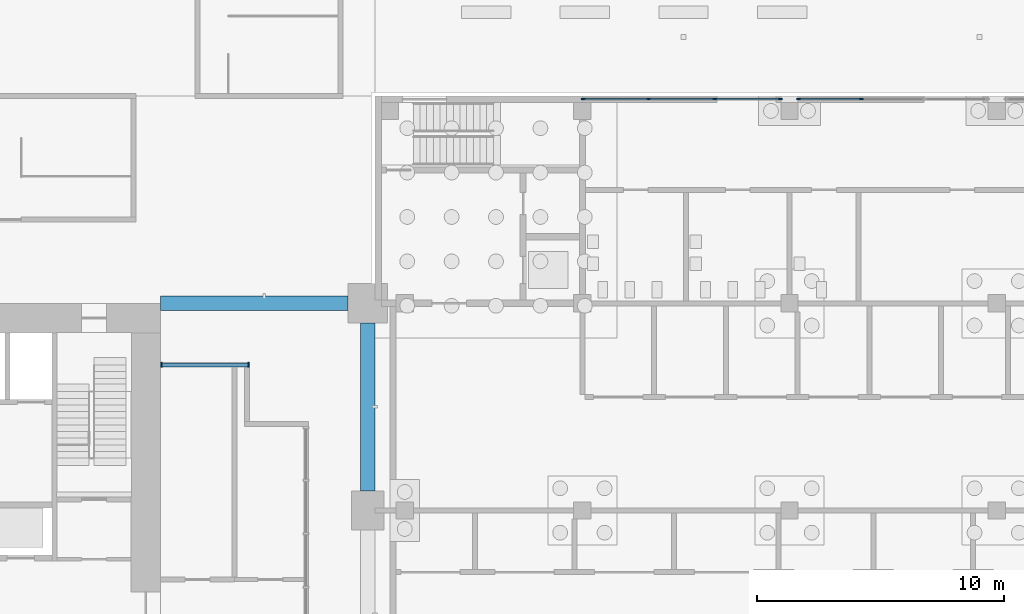
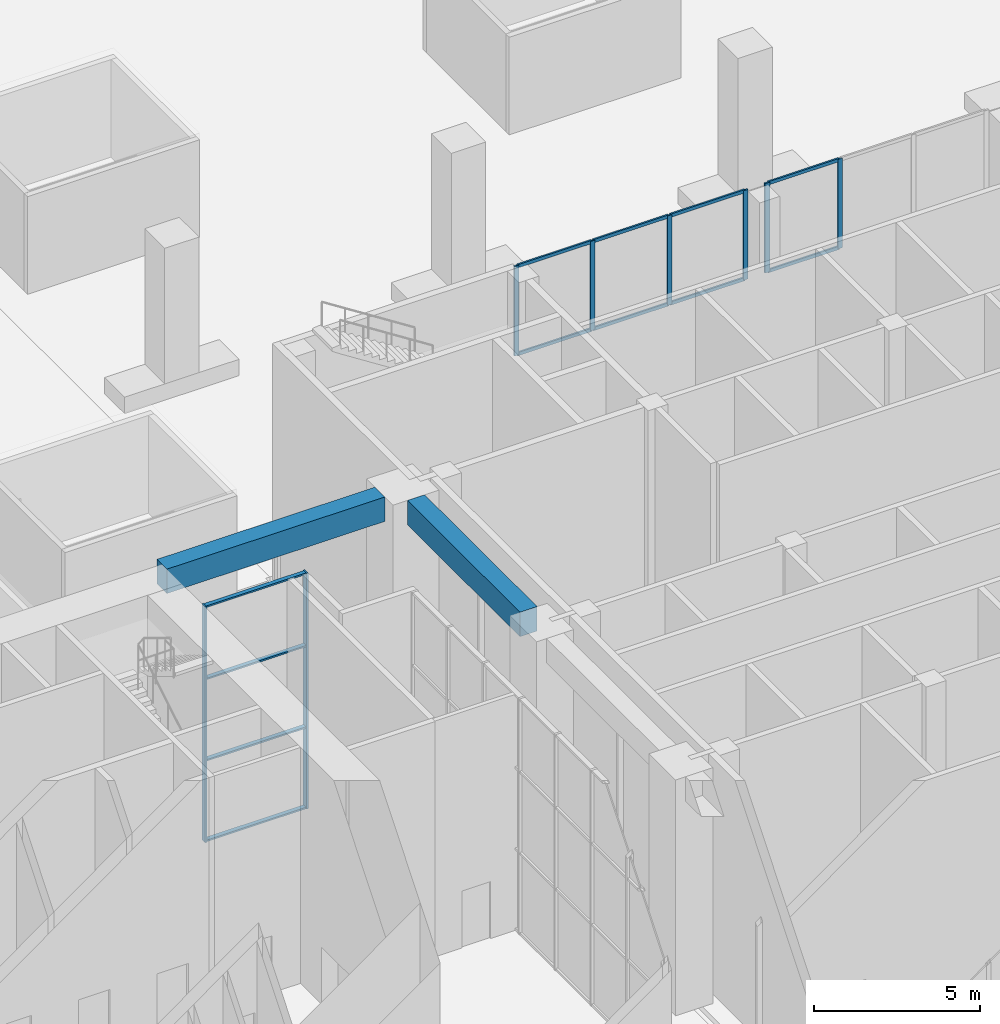
# One storey, part 10 of 46: 20 members, 2 beams, 3 elements without a shape of their own.
"""IFC4 building model written with IfcOpenShell, lengths in metres."""

import ifcopenshell
import ifcopenshell.guid

model = None  # the IFC model being written
_history = None  # IfcOwnerHistory: only IFC2X3 demands one
_inside = {}  # id of a spatial element -> (the spatial element, [elements in it])
_under = {}  # id of a project, library or spatial element -> (it, [spatial elements below it])
_declared = {}  # id of a project -> (the project, [libraries it declares])
_typed = {}  # id of a type object -> (the type object, [elements of that type])
_made_of = {}  # id of a material, layer set ... -> (it, [elements and type objects made of it])


def new_model(schema):
    """Start an empty IFC model of exactly this schema.

    Asked for "IFC4X3", IfcOpenShell would pick the latest addendum, in which some entities
    have other attributes; the version numbers below select the first issue.
    IFC2X3 requires an IfcOwnerHistory on every rooted entity: one is made here for all.
    """
    global model, _history
    if schema == "IFC4X3":
        model = ifcopenshell.file(schema_version=(4, 3, 0, 0))
    else:
        model = ifcopenshell.file(schema=schema)
    _inside.clear()
    _under.clear()
    _declared.clear()
    _typed.clear()
    _made_of.clear()
    _history = None
    if model.schema == "IFC2X3":
        org = make("IfcOrganization", Name="unknown")
        user = make(
            "IfcPersonAndOrganization",
            ThePerson=make("IfcPerson", FamilyName="unknown"),
            TheOrganization=org,
        )
        app = make(
            "IfcApplication",
            ApplicationDeveloper=org,
            Version="unknown",
            ApplicationFullName="unknown",
            ApplicationIdentifier="unknown",
        )
        _history = make(
            "IfcOwnerHistory",
            OwningUser=user,
            OwningApplication=app,
            ChangeAction="ADDED",
            CreationDate=0,
        )
    return model


def make(cls, **values):
    """One entity of the class cls with the attributes given. An attribute that is None is left unset."""
    return model.create_entity(
        cls, **{name: value for name, value in values.items() if value is not None}
    )


def rooted(cls, **values):
    """An entity with a GlobalId (a new one), such as an element, a storey or a relation."""
    return make(cls, GlobalId=ifcopenshell.guid.new(), OwnerHistory=_history, **values)


def si_unit(unit_type, name, prefix=None):
    """IfcSIUnit, for example si_unit("LENGTHUNIT", "METRE", prefix="MILLI")."""
    return make("IfcSIUnit", UnitType=unit_type, Prefix=prefix, Name=name)


def assignment(units):
    """IfcUnitAssignment: the units of a project."""
    return None if units is None else make("IfcUnitAssignment", Units=units)


def point(xyz):
    """IfcCartesianPoint."""
    return None if xyz is None else make("IfcCartesianPoint", Coordinates=xyz)


def direction(xyz):
    """IfcDirection."""
    return None if xyz is None else make("IfcDirection", DirectionRatios=xyz)


def frame(location, z_axis=None, x_axis=None):
    """IfcAxis2Placement3D, a coordinate frame: its origin and axes. An axis left out is left unset."""
    return make(
        "IfcAxis2Placement3D",
        Location=point(location),
        Axis=direction(z_axis),
        RefDirection=direction(x_axis),
    )


def frame_2d(location, x_axis=None):
    """IfcAxis2Placement2D, a coordinate frame in the plane: its origin and x axis."""
    return make(
        "IfcAxis2Placement2D", Location=point(location), RefDirection=direction(x_axis)
    )


def origin():
    """The frame at (0, 0, 0) with its axes left unset."""
    return frame((0.0, 0.0, 0.0))


def origin_2d():
    """The frame at (0, 0) in the plane with its x axis left unset."""
    return frame_2d((0.0, 0.0))


def place(relative_to, where):
    """IfcLocalPlacement: puts the frame where relative to a parent placement (None: the world)."""
    return make(
        "IfcLocalPlacement", PlacementRelTo=relative_to, RelativePlacement=where
    )


def context(
    kind, dimensions, precision=None, world=None, true_north=None, identifier=None
):
    """IfcGeometricRepresentationContext, for example the 3D "Model" context."""
    return make(
        "IfcGeometricRepresentationContext",
        ContextIdentifier=identifier,
        ContextType=kind,
        CoordinateSpaceDimension=dimensions,
        Precision=precision,
        WorldCoordinateSystem=world,
        TrueNorth=true_north,
    )


def subcontext(parent, identifier, kind, view, scale=None):
    """IfcGeometricRepresentationSubContext, for example "Body" below "Model"."""
    return make(
        "IfcGeometricRepresentationSubContext",
        ContextIdentifier=identifier,
        ContextType=kind,
        ParentContext=parent,
        TargetScale=scale,
        TargetView=view,
    )


def project(units=None, contexts=None):
    """IfcProject with its units and contexts."""
    return rooted(
        "IfcProject",
        Name="project",
        RepresentationContexts=contexts,
        UnitsInContext=assignment(units),
    )


def spatial(cls, under=None, at=None, **own):
    """A site, building, storey or space (cls), placed at a placement, below another one or the project."""
    s = rooted(cls, ObjectPlacement=at, **own)
    if under is not None:
        _under.setdefault(under.id(), (under, []))[1].append(s)
    return s


def profile(cls, at=None, kind="AREA", **sizes):
    """A parametric profile (cls). Its sizes go by their IFC names, for example OverallWidth=200.0."""
    return make(cls, ProfileType=kind, Position=at, **sizes)


def rectangle(**sizes):
    """IfcRectangleProfileDef."""
    return profile("IfcRectangleProfileDef", **sizes)


def extrude(swept, where, along, depth):
    """IfcExtrudedAreaSolid: the profile swept, set in the frame where, extruded along a direction by depth."""
    return make(
        "IfcExtrudedAreaSolid",
        SweptArea=swept,
        Position=where,
        ExtrudedDirection=direction(along),
        Depth=depth,
    )


def shape(context_of_items, identifier, shape_type, items):
    """IfcShapeRepresentation: the items that make up one representation, for example the "Body"."""
    return make(
        "IfcShapeRepresentation",
        ContextOfItems=context_of_items,
        RepresentationIdentifier=identifier,
        RepresentationType=shape_type,
        Items=items,
    )


def material(Name=None, Category=None):
    """IfcMaterial."""
    return make("IfcMaterial", Name=Name, Category=Category)


def layer(
    of_material, thickness, ventilated=None, Name=None, Category=None, Priority=None
):
    """IfcMaterialLayer: one layer of a wall or slab, of a material (None: an air gap)."""
    return make(
        "IfcMaterialLayer",
        Material=of_material,
        LayerThickness=thickness,
        IsVentilated=ventilated,
        Name=Name,
        Category=Category,
        Priority=Priority,
    )


def layer_set(layers, Name=None):
    """IfcMaterialLayerSet."""
    return make("IfcMaterialLayerSet", MaterialLayers=layers, LayerSetName=Name)


def material_profile(
    of_material, cross_section, Name=None, Category=None, Priority=None
):
    """IfcMaterialProfile: a cross section and its material."""
    return make(
        "IfcMaterialProfile",
        Name=Name,
        Material=of_material,
        Profile=cross_section,
        Priority=Priority,
        Category=Category,
    )


def profile_set(profiles, Name=None, composite=None):
    """IfcMaterialProfileSet."""
    return make(
        "IfcMaterialProfileSet",
        Name=Name,
        MaterialProfiles=profiles,
        CompositeProfile=composite,
    )


def made_of(thing, what):
    """Note that an element or type object is made of a material, layer set ...; save() writes the relation."""
    if what is not None:
        _made_of.setdefault(what.id(), (what, []))[1].append(thing)
    return thing


def type_object(cls, material=None, **own):
    """A type object (cls), such as IfcWallType, which elements share."""
    return made_of(rooted(cls, **own), material)


def element(
    cls,
    number,
    at=None,
    inside=None,
    cuts=None,
    type_object=None,
    material=None,
    context=None,
    identifier="Body",
    shape_type=None,
    held_by="IfcProductDefinitionShape",
    body=None,
    shapes=None,
    **own,
):
    """One element of the class cls, such as IfcWall. Its Tag is "e" and its number.

    at: its placement. inside: the storey or other place that contains it. cuts: it is an
    opening in that element (IfcRelVoidsElement). A single representation is given by context,
    identifier, shape_type and body (its items); several are given by shapes. held_by: the class
    of the entity that holds the representations. save() writes the other relations.
    """
    e = rooted(cls, Tag="e%d" % number, ObjectPlacement=at, **own)
    if body is not None:
        shapes = [shape(context, identifier, shape_type, body)]
    if shapes is not None:
        e.Representation = make(held_by, Representations=shapes)
    if inside is not None:
        _inside.setdefault(inside.id(), (inside, []))[1].append(e)
    if cuts is not None:
        rooted(
            "IfcRelVoidsElement", RelatingBuildingElement=cuts, RelatedOpeningElement=e
        )
    if type_object is not None:
        _typed.setdefault(type_object.id(), (type_object, []))[1].append(e)
    return made_of(e, material)


def aggregate(whole, parts):
    """IfcRelAggregates: a whole, such as a stair, and the parts it consists of."""
    return rooted("IfcRelAggregates", RelatingObject=whole, RelatedObjects=parts)


def save(model, path):
    """Write the relations noted so far, then the file.

    IfcRelAggregates (storeys below a building ...), IfcRelContainedInSpatialStructure (elements
    in a storey), IfcRelDefinesByType, IfcRelAssociatesMaterial and IfcRelDeclares: one each for
    every whole, place, type object, material and project.
    """
    for whole, parts in _under.values():
        aggregate(whole, parts)
    for where, things in _inside.values():
        rooted(
            "IfcRelContainedInSpatialStructure",
            RelatedElements=things,
            RelatingStructure=where,
        )
    for kind, things in _typed.values():
        rooted("IfcRelDefinesByType", RelatedObjects=things, RelatingType=kind)
    for what, things in _made_of.values():
        rooted("IfcRelAssociatesMaterial", RelatedObjects=things, RelatingMaterial=what)
    for by, libraries in _declared.values():
        rooted("IfcRelDeclares", RelatingContext=by, RelatedDefinitions=libraries)
    model.write(path)


model = new_model("IFC4")

# Units and contexts
model_context = context("Model", 3, precision=1e-05, world=origin(), true_north=direction((0.0, 1.0)))
body_context = subcontext(model_context, "Body", "Model", "MODEL_VIEW")
ifc_project = project(units=[si_unit("LENGTHUNIT", "METRE"), si_unit("AREAUNIT", "SQUARE_METRE"), si_unit("VOLUMEUNIT", "CUBIC_METRE"), si_unit("PLANEANGLEUNIT", "RADIAN"), si_unit("MASSUNIT", "GRAM", prefix="KILO")], contexts=[model_context])

# Site, building, storey
site_placement = place(None, origin())
site = spatial("IfcSite", under=ifc_project, at=site_placement, CompositionType="ELEMENT")
building_placement = place(site_placement, origin())
building = spatial("IfcBuilding", under=site, at=building_placement, Name="Vermilion Gate Residences", CompositionType="ELEMENT")
storey_placement = place(building_placement, origin())
storey = spatial("IfcBuildingStorey", under=building, at=storey_placement, Name="L00", CompositionType="ELEMENT", Elevation=0.0)

# Curtain wall, members
ifc_material_1 = material(Name="Aluminium and glass", Category="aluminium")
ifc_layer = layer(ifc_material_1, 0.159912109375)
ifc_layer_set = layer_set([ifc_layer], Name="CLERESTORY CURTAIN WALL (MARKET HALL)")
curtain_wall_type_1 = type_object("IfcCurtainWallType", Name="CLERESTORY CURTAIN WALL (MARKET HALL)", PredefinedType="NOTDEFINED", material=ifc_layer_set)
curtain_wall_1_placement = place(storey_placement, origin())
curtain_wall_1 = element("IfcCurtainWall", 1, at=curtain_wall_1_placement, inside=storey, type_object=curtain_wall_type_1, Name="Clerestory glazing", PredefinedType="NOTDEFINED")
ifc_material_2 = material(Name="Aluminium", Category="aluminium")
ifc_material_profile_1 = material_profile(ifc_material_2, rectangle(XDim=0.06005859375, YDim=0.159912109375, at=origin_2d()), Name="ALUMINIUM MULLION 60 X 160 (MARKET HALL)")
ifc_profile_set_1 = profile_set([ifc_material_profile_1], Name="Aluminium")
member_type_1 = type_object("IfcMemberType", Name="ALUMINIUM MULLION 60 X 160 (MARKET HALL)", PredefinedType="MULLION", material=ifc_profile_set_1)
member_1_placement = place(storey_placement, frame((75.929931640625, 33.47509765625, 5.39990234375), z_axis=(0.0, 0.0, 1.0), x_axis=(0.0, 1.0, 0.0)))
member_1 = element("IfcMember", 2, at=member_1_placement, type_object=member_type_1, Name="HC4 mullion 1", PredefinedType="MULLION", context=body_context, shape_type="SweptSolid", body=[
    extrude(rectangle(XDim=0.06005859375, YDim=0.159912109375, at=origin_2d()), origin(), (0.0, 0.0, 1.0), 3.300048828125),
])
member_2_placement = place(storey_placement, frame((78.583251953125, 33.47509765625, 5.39990234375), z_axis=(0.0, 0.0, 1.0), x_axis=(0.0, 1.0, 0.0)))
member_2 = element("IfcMember", 3, at=member_2_placement, type_object=member_type_1, Name="HC4 mullion 2", PredefinedType="MULLION", context=body_context, shape_type="SweptSolid", body=[
    extrude(rectangle(XDim=0.06005859375, YDim=0.159912109375, at=origin_2d()), origin(), (0.0, 0.0, 1.0), 3.300048828125),
])
member_3_placement = place(storey_placement, frame((81.2666015625, 33.47509765625, 5.39990234375), z_axis=(0.0, 0.0, 1.0), x_axis=(0.0, 1.0, 0.0)))
member_3 = element("IfcMember", 4, at=member_3_placement, type_object=member_type_1, Name="HC4 mullion 3", PredefinedType="MULLION", context=body_context, shape_type="SweptSolid", body=[
    extrude(rectangle(XDim=0.06005859375, YDim=0.159912109375, at=origin_2d()), origin(), (0.0, 0.0, 1.0), 3.300048828125),
])
member_4_placement = place(storey_placement, frame((83.919921875, 33.47509765625, 5.39990234375), z_axis=(0.0, 0.0, 1.0), x_axis=(0.0, 1.0, 0.0)))
member_4 = element("IfcMember", 5, at=member_4_placement, type_object=member_type_1, Name="HC4 mullion 4", PredefinedType="MULLION", context=body_context, shape_type="SweptSolid", body=[
    extrude(rectangle(XDim=0.06005859375, YDim=0.159912109375, at=origin_2d()), origin(), (0.0, 0.0, 1.0), 3.300048828125),
])

curtain_wall_2_placement = place(storey_placement, origin())
curtain_wall_2 = element("IfcCurtainWall", 6, at=curtain_wall_2_placement, inside=storey, type_object=curtain_wall_type_1, Name="Clerestory glazing", PredefinedType="NOTDEFINED")
member_5_placement = place(storey_placement, frame((84.679931640625, 33.47509765625, 5.39990234375), z_axis=(0.0, 0.0, 1.0), x_axis=(0.0, 1.0, 0.0)))
member_5 = element("IfcMember", 7, at=member_5_placement, type_object=member_type_1, Name="HC4 mullion 1", PredefinedType="MULLION", context=body_context, shape_type="SweptSolid", body=[
    extrude(rectangle(XDim=0.06005859375, YDim=0.159912109375, at=origin_2d()), origin(), (0.0, 0.0, 1.0), 3.300048828125),
])
member_6_placement = place(storey_placement, frame((87.216552734375, 33.47509765625, 5.39990234375), z_axis=(0.0, 0.0, 1.0), x_axis=(0.0, 1.0, 0.0)))
member_6 = element("IfcMember", 8, at=member_6_placement, type_object=member_type_1, Name="HC4 mullion 2", PredefinedType="MULLION", context=body_context, shape_type="SweptSolid", body=[
    extrude(rectangle(XDim=0.06005859375, YDim=0.159912109375, at=origin_2d()), origin(), (0.0, 0.0, 1.0), 3.300048828125),
])

# Member
ifc_material_3 = material(Name="Aluminium", Category="aluminium")
ifc_material_profile_2 = material_profile(ifc_material_3, rectangle(XDim=0.06005859375, YDim=0.1201171875, at=origin_2d()), Name="ALUMINIUM TRANSOM 60 X 120 (MARKET HALL)")
ifc_profile_set_2 = profile_set([ifc_material_profile_2], Name="Aluminium")
member_type_2 = type_object("IfcMemberType", Name="ALUMINIUM TRANSOM 60 X 120 (MARKET HALL)", PredefinedType="MULLION", material=ifc_profile_set_2)
member_7_placement = place(storey_placement, frame((75.9599609375, 33.47509765625, 5.429931640625), z_axis=(1.0, 0.0, 0.0), x_axis=(0.0, 1.0, 0.0)))
member_7 = element("IfcMember", 9, at=member_7_placement, type_object=member_type_2, Name="HC4 transom 1.1", PredefinedType="MULLION", context=body_context, shape_type="SweptSolid", body=[
    extrude(rectangle(XDim=0.06005859375, YDim=0.1201171875, at=origin_2d()), origin(), (0.0, 0.0, 1.0), 2.59326171875),
])

member_8_placement = place(storey_placement, frame((75.9599609375, 33.47509765625, 8.669921875), z_axis=(1.0, 0.0, 0.0), x_axis=(0.0, 1.0, 0.0)))
member_8 = element("IfcMember", 10, at=member_8_placement, type_object=member_type_2, Name="HC4 transom 1.2", PredefinedType="MULLION", context=body_context, shape_type="SweptSolid", body=[
    extrude(rectangle(XDim=0.06005859375, YDim=0.1201171875, at=origin_2d()), origin(), (0.0, 0.0, 1.0), 2.59326171875),
])

member_9_placement = place(storey_placement, frame((78.61328125, 33.47509765625, 5.429931640625), z_axis=(1.0, 0.0, 0.0), x_axis=(0.0, 1.0, 0.0)))
member_9 = element("IfcMember", 11, at=member_9_placement, type_object=member_type_2, Name="HC4 transom 2.1", PredefinedType="MULLION", context=body_context, shape_type="SweptSolid", body=[
    extrude(rectangle(XDim=0.06005859375, YDim=0.1201171875, at=origin_2d()), origin(), (0.0, 0.0, 1.0), 2.623291015625),
])

member_10_placement = place(storey_placement, frame((78.61328125, 33.47509765625, 8.669921875), z_axis=(1.0, 0.0, 0.0), x_axis=(0.0, 1.0, 0.0)))
member_10 = element("IfcMember", 12, at=member_10_placement, type_object=member_type_2, Name="HC4 transom 2.2", PredefinedType="MULLION", context=body_context, shape_type="SweptSolid", body=[
    extrude(rectangle(XDim=0.06005859375, YDim=0.1201171875, at=origin_2d()), origin(), (0.0, 0.0, 1.0), 2.623291015625),
])

member_11_placement = place(storey_placement, frame((81.296630859375, 33.47509765625, 5.429931640625), z_axis=(1.0, 0.0, 0.0), x_axis=(0.0, 1.0, 0.0)))
member_11 = element("IfcMember", 13, at=member_11_placement, type_object=member_type_2, Name="HC4 transom 3.1", PredefinedType="MULLION", context=body_context, shape_type="SweptSolid", body=[
    extrude(rectangle(XDim=0.06005859375, YDim=0.1201171875, at=origin_2d()), origin(), (0.0, 0.0, 1.0), 2.59326171875),
])

member_12_placement = place(storey_placement, frame((81.296630859375, 33.47509765625, 8.669921875), z_axis=(1.0, 0.0, 0.0), x_axis=(0.0, 1.0, 0.0)))
member_12 = element("IfcMember", 14, at=member_12_placement, type_object=member_type_2, Name="HC4 transom 3.2", PredefinedType="MULLION", context=body_context, shape_type="SweptSolid", body=[
    extrude(rectangle(XDim=0.06005859375, YDim=0.1201171875, at=origin_2d()), origin(), (0.0, 0.0, 1.0), 2.59326171875),
])

aggregate(curtain_wall_1, [member_1, member_2, member_3, member_4, member_7, member_8, member_9, member_10, member_11, member_12])

member_13_placement = place(storey_placement, frame((84.7099609375, 33.47509765625, 5.429931640625), z_axis=(1.0, 0.0, 0.0), x_axis=(0.0, 1.0, 0.0)))
member_13 = element("IfcMember", 15, at=member_13_placement, type_object=member_type_2, Name="HC4 transom 1.1", PredefinedType="MULLION", context=body_context, shape_type="SweptSolid", body=[
    extrude(rectangle(XDim=0.06005859375, YDim=0.1201171875, at=origin_2d()), origin(), (0.0, 0.0, 1.0), 2.476806640625),
])

member_14_placement = place(storey_placement, frame((84.7099609375, 33.47509765625, 8.669921875), z_axis=(1.0, 0.0, 0.0), x_axis=(0.0, 1.0, 0.0)))
member_14 = element("IfcMember", 16, at=member_14_placement, type_object=member_type_2, Name="HC4 transom 1.2", PredefinedType="MULLION", context=body_context, shape_type="SweptSolid", body=[
    extrude(rectangle(XDim=0.06005859375, YDim=0.1201171875, at=origin_2d()), origin(), (0.0, 0.0, 1.0), 2.476806640625),
])

aggregate(curtain_wall_2, [member_5, member_6, member_13, member_14])

# Curtain wall, members
ifc_material_4 = material(Name="Aluminium and glass", Category="aluminium")
curtain_wall_type_2 = type_object("IfcCurtainWallType", Name="PODIUM SHOPFRONT CURTAIN WALL", PredefinedType="NOTDEFINED", material=ifc_material_4)
curtain_wall_3_placement = place(storey_placement, origin())
curtain_wall_3 = element("IfcCurtainWall", 17, at=curtain_wall_3_placement, inside=storey, type_object=curtain_wall_type_2, Name="Podium Shopfront 150", PredefinedType="NOTDEFINED")
ifc_material_5 = material(Name="Aluminium", Category="aluminium")
ifc_material_profile_3 = material_profile(ifc_material_5, rectangle(XDim=0.199951171875, YDim=0.06005859375, at=origin_2d()), Name="MULLION 60 X 200")
ifc_profile_set_3 = profile_set([ifc_material_profile_3], Name="Aluminium")
member_type_3 = type_object("IfcMemberType", Name="PODIUM SHOPFRONT MULLION 60 X 200", PredefinedType="MULLION", material=ifc_profile_set_3)
member_15_placement = place(storey_placement, frame((62.3701171875, 22.699951171875, 0.0), z_axis=(0.0, 0.0, 1.0), x_axis=(0.0, -1.0, 0.0)))
member_15 = element("IfcMember", 18, at=member_15_placement, type_object=member_type_3, Name="ECW1 mullion 1", PredefinedType="MULLION", context=body_context, shape_type="SweptSolid", body=[
    extrude(rectangle(XDim=0.199951171875, YDim=0.06005859375, at=origin_2d()), origin(), (0.0, 0.0, 1.0), 8.699951171875),
])
member_16_placement = place(storey_placement, frame((58.830078125, 22.699951171875, 0.0), z_axis=(0.0, 0.0, 1.0), x_axis=(0.0, -1.0, 0.0)))
member_16 = element("IfcMember", 19, at=member_16_placement, type_object=member_type_3, Name="ECW1 mullion 2", PredefinedType="MULLION", context=body_context, shape_type="SweptSolid", body=[
    extrude(rectangle(XDim=0.199951171875, YDim=0.06005859375, at=origin_2d()), origin(), (0.0, 0.0, 1.0), 8.699951171875),
])
ifc_material_6 = material(Name="Aluminium", Category="aluminium")
ifc_material_profile_4 = material_profile(ifc_material_6, rectangle(XDim=0.14990234375, YDim=0.06005859375, at=origin_2d()), Name="TRANSOM 60 X 150")
ifc_profile_set_4 = profile_set([ifc_material_profile_4], Name="Aluminium")
member_type_4 = type_object("IfcMemberType", Name="PODIUM SHOPFRONT TRANSOM 60 X 150", PredefinedType="MULLION", material=ifc_profile_set_4)
member_17_placement = place(storey_placement, frame((62.340087890625, 22.699951171875, 0.030029296875), z_axis=(-1.0, 0.0, 0.0), x_axis=(0.0, -1.0, 0.0)))
member_17 = element("IfcMember", 20, at=member_17_placement, type_object=member_type_4, Name="ECW1 transom 1.1", PredefinedType="MULLION", context=body_context, shape_type="SweptSolid", body=[
    extrude(rectangle(XDim=0.14990234375, YDim=0.06005859375, at=origin_2d()), origin(), (0.0, 0.0, 1.0), 3.47998046875),
])
member_18_placement = place(storey_placement, frame((62.340087890625, 22.699951171875, 3.0), z_axis=(-1.0, 0.0, 0.0), x_axis=(0.0, -1.0, 0.0)))
member_18 = element("IfcMember", 21, at=member_18_placement, type_object=member_type_4, Name="ECW1 transom 1.2", PredefinedType="MULLION", context=body_context, shape_type="SweptSolid", body=[
    extrude(rectangle(XDim=0.14990234375, YDim=0.06005859375, at=origin_2d()), origin(), (0.0, 0.0, 1.0), 3.47998046875),
])
member_19_placement = place(storey_placement, frame((62.340087890625, 22.699951171875, 6.0), z_axis=(-1.0, 0.0, 0.0), x_axis=(0.0, -1.0, 0.0)))
member_19 = element("IfcMember", 22, at=member_19_placement, type_object=member_type_4, Name="ECW1 transom 1.3", PredefinedType="MULLION", context=body_context, shape_type="SweptSolid", body=[
    extrude(rectangle(XDim=0.14990234375, YDim=0.06005859375, at=origin_2d()), origin(), (0.0, 0.0, 1.0), 3.47998046875),
])
member_20_placement = place(storey_placement, frame((62.340087890625, 22.699951171875, 8.669921875), z_axis=(-1.0, 0.0, 0.0), x_axis=(0.0, -1.0, 0.0)))
member_20 = element("IfcMember", 23, at=member_20_placement, type_object=member_type_4, Name="ECW1 transom 1.4", PredefinedType="MULLION", context=body_context, shape_type="SweptSolid", body=[
    extrude(rectangle(XDim=0.14990234375, YDim=0.06005859375, at=origin_2d()), origin(), (0.0, 0.0, 1.0), 3.47998046875),
])
aggregate(curtain_wall_3, [member_15, member_16, member_17, member_18, member_19, member_20])

# Beams
ifc_material_7 = material(Name="Concrete C60 red-oxide pigmented", Category="concrete")
ifc_material_profile_5 = material_profile(ifc_material_7, rectangle(XDim=0.60009765625, YDim=0.89990234375, at=origin_2d()), Name="RC-600x900")
ifc_profile_set_5 = profile_set([ifc_material_profile_5], Name="Concrete C60 red-oxide pigmented")
beam_type = type_object("IfcBeamType", Name="RC EDGE BEAM 600 X 900 C60", PredefinedType="BEAM", material=ifc_profile_set_5)
beam_1_placement = place(storey_placement, frame((67.199951171875, 17.60009765625, 8.25), z_axis=(0.0, 1.0, 0.0), x_axis=(-1.0, 0.0, 0.0)))
element("IfcBeam", 24, at=beam_1_placement, inside=storey, type_object=beam_type, Name="Edge beam L00 19", PredefinedType="BEAM", context=body_context, shape_type="SweptSolid", body=[
    extrude(rectangle(XDim=0.60009765625, YDim=0.89990234375, at=origin_2d()), origin(), (0.0, 0.0, 1.0), 6.7998046875),
])
beam_2_placement = place(storey_placement, frame((58.800048828125, 25.199951171875, 8.25), z_axis=(1.0, 0.0, 0.0), x_axis=(0.0, 1.0, 0.0)))
element("IfcBeam", 25, at=beam_2_placement, inside=storey, type_object=beam_type, Name="Edge beam L00 20", PredefinedType="BEAM", context=body_context, shape_type="SweptSolid", body=[
    extrude(rectangle(XDim=0.60009765625, YDim=0.89990234375, at=origin_2d()), origin(), (0.0, 0.0, 1.0), 7.599853515625),
])

save(model, "model.ifc")
